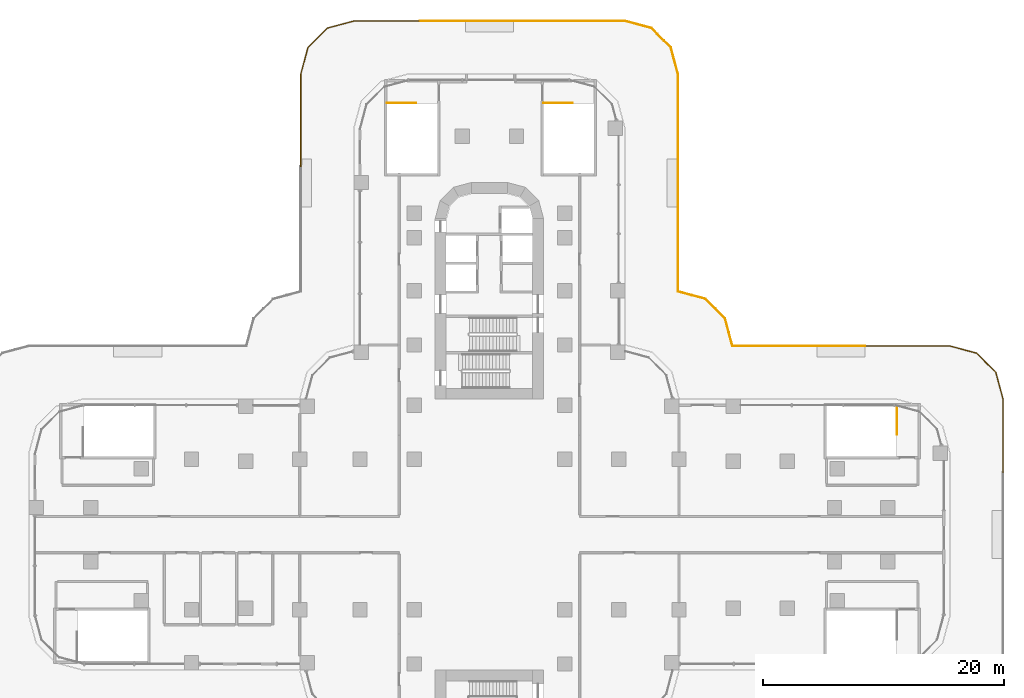
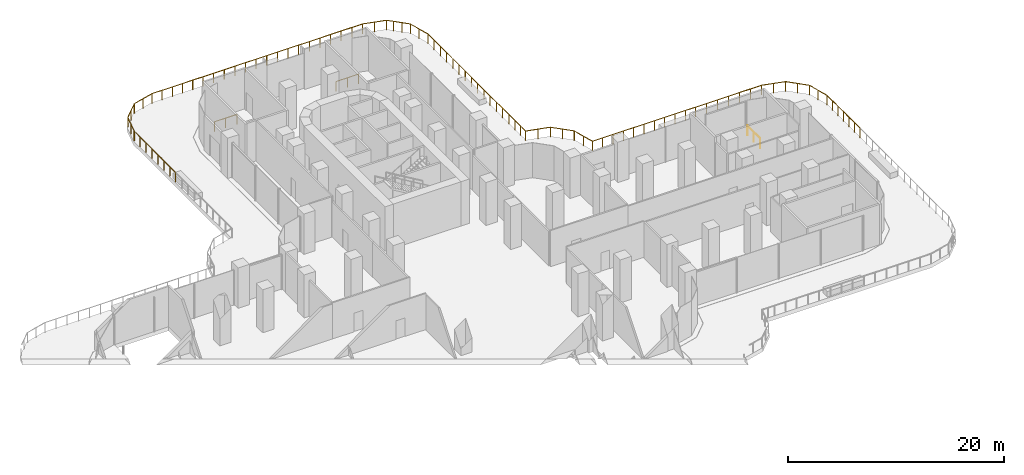
# One storey, part 20 of 21: 8 railings.
"""IFC4 building model written with IfcOpenShell, lengths in metres."""

from ifc_helpers import new_model, si_unit, direction, frame, origin, origin_2d, place, context, subcontext, project, spatial, circle, extrude, material, type_object, element, save


model = new_model("IFC4")

# Units and contexts
model_context = context("Model", 3, precision=1e-05, world=origin(), true_north=direction((0.0, 1.0)))
body_context = subcontext(model_context, "Body", "Model", "MODEL_VIEW")
ifc_project = project(units=[si_unit("LENGTHUNIT", "METRE"), si_unit("AREAUNIT", "SQUARE_METRE"), si_unit("VOLUMEUNIT", "CUBIC_METRE"), si_unit("PLANEANGLEUNIT", "RADIAN"), si_unit("MASSUNIT", "GRAM", prefix="KILO")], contexts=[model_context])

# Site, building, storey
site_placement = place(None, origin())
site = spatial("IfcSite", under=ifc_project, at=site_placement, CompositionType="ELEMENT")
building_placement = place(site_placement, origin())
building = spatial("IfcBuilding", under=site, at=building_placement, Name="Zarbagh Exchange Tower", CompositionType="ELEMENT")
storey_placement = place(building_placement, frame((0.0, 0.0, 22.0)))
storey = spatial("IfcBuildingStorey", under=building, at=storey_placement, Name="L04", CompositionType="ELEMENT", Elevation=22.0)

# Railings
ifc_material_1 = material(Name="Stainless steel", Category="steel")
railing_type_1 = type_object("IfcRailingType", Name="Stair guard 1100 mm", PredefinedType="GUARDRAIL", material=ifc_material_1)
for number, where, name in (
    (1, (-8.5, 35.85009765625, 0.0), "PS1 top well guard 1"),
    (2, (4.5, 35.85009765625, 0.0), "PS2 top well guard 1"),
):
    element("IfcRailing", number, at=place(storey_placement, frame(where)), inside=storey, type_object=railing_type_1, Name=name, PredefinedType="GUARDRAIL", context=body_context, shape_type="SweptSolid", body=[
        extrude(circle(Radius=0.02392578125, at=origin_2d()), frame((0.0, 0.0, 1.076171875), z_axis=(1.0, 0.0, 0.0), x_axis=(0.0, 1.0, 0.0)), (0.0, 0.0, 1.0), 2.39990234375),
        extrude(circle(Radius=0.02099609375, at=origin_2d()), origin(), (0.0, 0.0, 1.0), 1.052001953125),
        extrude(circle(Radius=0.02099609375, at=origin_2d()), frame((1.199951171875, 0.0, 0.0)), (0.0, 0.0, 1.0), 1.052001953125),
        extrude(circle(Radius=0.02099609375, at=origin_2d()), frame((2.39990234375, 0.0, 0.0)), (0.0, 0.0, 1.0), 1.052001953125),
    ])
railing_1_placement = place(storey_placement, frame((33.85009765625, 10.699951171875, 0.0)))
element("IfcRailing", 3, at=railing_1_placement, inside=storey, type_object=railing_type_1, Name="PS3 top well guard 1", PredefinedType="GUARDRAIL", context=body_context, shape_type="SweptSolid", body=[
    extrude(circle(Radius=0.02392578125, at=origin_2d()), frame((0.0, 0.0, 1.076171875), z_axis=(0.0, -1.0, 0.0), x_axis=(1.0, 0.0, 0.0)), (0.0, 0.0, 1.0), 2.39990234375),
    extrude(circle(Radius=0.02099609375, at=origin_2d()), origin(), (0.0, 0.0, 1.0), 1.052001953125),
    extrude(circle(Radius=0.02099609375, at=origin_2d()), frame((0.0, -1.199951171875, 0.0)), (0.0, 0.0, 1.0), 1.052001953125),
    extrude(circle(Radius=0.02099609375, at=origin_2d()), frame((0.0, -2.39990234375, 0.0)), (0.0, 0.0, 1.0), 1.052001953125),
])
ifc_material_2 = material(Name="Stainless steel and laminated glass", Category="steel")
railing_type_2 = type_object("IfcRailingType", Name="Terrace guard, glass balustrade 1.1 m", PredefinedType="GUARDRAIL", material=ifc_material_2)
railing_2_placement = place(storey_placement, frame((-15.669921875, 30.581298828125, 0.0)))
element("IfcRailing", 4, at=railing_2_placement, inside=storey, type_object=railing_type_2, Name="TG01 terrace guard", PredefinedType="GUARDRAIL", context=body_context, shape_type="SweptSolid", body=[
    extrude(circle(Radius=0.02490234375, at=origin_2d()), frame((0.0, 0.0, 1.0751953125), z_axis=(0.0, 1.0, 0.0), x_axis=(-1.0, 0.0, 0.0)), (0.0, 0.0, 1.0), 7.658203125),
    extrude(circle(Radius=0.02490234375, at=origin_2d()), frame((0.0, 7.658203125, 1.0751953125), z_axis=(0.258780353152, 0.965936192935, 0.0), x_axis=(-0.965936192935, 0.258780353152, 0.0)), (0.0, 0.0, 1.0), 2.29736328125),
    extrude(circle(Radius=0.02490234375, at=origin_2d()), frame((0.594482421875, 9.877197265625, 1.0751953125), z_axis=(0.707106781187, 0.707106781187, 0.0), x_axis=(-0.707106781187, 0.707106781187, 0.0)), (0.0, 0.0, 1.0), 2.28662109375),
    extrude(circle(Radius=0.02490234375, at=origin_2d()), frame((2.21142578125, 11.494140625, 1.0751953125), z_axis=(0.965936192935, 0.258780353152, 0.0), x_axis=(-0.258780353152, 0.965936192935, 0.0)), (0.0, 0.0, 1.0), 2.29736328125),
    extrude(circle(Radius=0.02490234375, at=origin_2d()), frame((4.430419921875, 12.088623046875, 1.0751953125), z_axis=(1.0, 0.0, 0.0), x_axis=(0.0, 1.0, 0.0)), (0.0, 0.0, 1.0), 5.460693359375),
    extrude(circle(Radius=0.02490234375, at=origin_2d()), origin(), (0.0, 0.0, 1.0), 1.050048828125),
    extrude(circle(Radius=0.02490234375, at=origin_2d()), frame((0.0, 1.093994140625, 0.0)), (0.0, 0.0, 1.0), 1.050048828125),
    extrude(circle(Radius=0.02490234375, at=origin_2d()), frame((0.0, 2.18798828125, 0.0)), (0.0, 0.0, 1.0), 1.050048828125),
    extrude(circle(Radius=0.02490234375, at=origin_2d()), frame((0.0, 3.281982421875, 0.0)), (0.0, 0.0, 1.0), 1.050048828125),
    extrude(circle(Radius=0.02490234375, at=origin_2d()), frame((0.0, 4.376220703125, 0.0)), (0.0, 0.0, 1.0), 1.050048828125),
    extrude(circle(Radius=0.02490234375, at=origin_2d()), frame((0.0, 5.47021484375, 0.0)), (0.0, 0.0, 1.0), 1.050048828125),
    extrude(circle(Radius=0.02490234375, at=origin_2d()), frame((0.0, 6.564208984375, 0.0)), (0.0, 0.0, 1.0), 1.050048828125),
    extrude(circle(Radius=0.02490234375, at=origin_2d()), frame((0.0, 7.658203125, 0.0)), (0.0, 0.0, 1.0), 1.050048828125),
    extrude(circle(Radius=0.02490234375, at=origin_2d()), frame((0.29736328125, 8.767578125, 0.0)), (0.0, 0.0, 1.0), 1.050048828125),
    extrude(circle(Radius=0.02490234375, at=origin_2d()), frame((0.594482421875, 9.877197265625, 0.0)), (0.0, 0.0, 1.0), 1.050048828125),
    extrude(circle(Radius=0.02490234375, at=origin_2d()), frame((1.40283203125, 10.685546875, 0.0)), (0.0, 0.0, 1.0), 1.050048828125),
    extrude(circle(Radius=0.02490234375, at=origin_2d()), frame((2.21142578125, 11.494140625, 0.0)), (0.0, 0.0, 1.0), 1.050048828125),
    extrude(circle(Radius=0.02490234375, at=origin_2d()), frame((3.32080078125, 11.79150390625, 0.0)), (0.0, 0.0, 1.0), 1.050048828125),
    extrude(circle(Radius=0.02490234375, at=origin_2d()), frame((4.430419921875, 12.088623046875, 0.0)), (0.0, 0.0, 1.0), 1.050048828125),
    extrude(circle(Radius=0.02490234375, at=origin_2d()), frame((5.5224609375, 12.088623046875, 0.0)), (0.0, 0.0, 1.0), 1.050048828125),
    extrude(circle(Radius=0.02490234375, at=origin_2d()), frame((6.61474609375, 12.088623046875, 0.0)), (0.0, 0.0, 1.0), 1.050048828125),
    extrude(circle(Radius=0.02490234375, at=origin_2d()), frame((7.706787109375, 12.088623046875, 0.0)), (0.0, 0.0, 1.0), 1.050048828125),
    extrude(circle(Radius=0.02490234375, at=origin_2d()), frame((8.799072265625, 12.088623046875, 0.0)), (0.0, 0.0, 1.0), 1.050048828125),
    extrude(circle(Radius=0.02490234375, at=origin_2d()), frame((9.89111328125, 12.088623046875, 0.0)), (0.0, 0.0, 1.0), 1.050048828125),
])
railing_3_placement = place(storey_placement, frame((-5.77880859375, 42.669921875, 0.0)))
element("IfcRailing", 5, at=railing_3_placement, inside=storey, type_object=railing_type_2, Name="TG01 terrace guard", PredefinedType="GUARDRAIL", context=body_context, shape_type="SweptSolid", body=[
    extrude(circle(Radius=0.02490234375, at=origin_2d()), frame((0.0, 0.0, 1.0751953125), z_axis=(1.0, 0.0, 0.0), x_axis=(0.0, 1.0, 0.0)), (0.0, 0.0, 1.0), 17.018310546875),
    extrude(circle(Radius=0.02490234375, at=origin_2d()), frame((17.018310546875, 0.0, 1.0751953125), z_axis=(0.965936192935, -0.258780353152, 0.0), x_axis=(0.258780353152, 0.965936192935, 0.0)), (0.0, 0.0, 1.0), 2.29736328125),
    extrude(circle(Radius=0.02490234375, at=origin_2d()), frame((19.2373046875, -0.594482421875, 1.0751953125), z_axis=(0.707106781187, -0.707106781187, 0.0), x_axis=(0.707106781187, 0.707106781187, 0.0)), (0.0, 0.0, 1.0), 0.684326171875),
    extrude(circle(Radius=0.02490234375, at=origin_2d()), origin(), (0.0, 0.0, 1.0), 1.050048828125),
    extrude(circle(Radius=0.02490234375, at=origin_2d()), frame((1.134521484375, 0.0, 0.0)), (0.0, 0.0, 1.0), 1.050048828125),
    extrude(circle(Radius=0.02490234375, at=origin_2d()), frame((2.26904296875, 0.0, 0.0)), (0.0, 0.0, 1.0), 1.050048828125),
    extrude(circle(Radius=0.02490234375, at=origin_2d()), frame((3.403564453125, 0.0, 0.0)), (0.0, 0.0, 1.0), 1.050048828125),
    extrude(circle(Radius=0.02490234375, at=origin_2d()), frame((4.538330078125, 0.0, 0.0)), (0.0, 0.0, 1.0), 1.050048828125),
    extrude(circle(Radius=0.02490234375, at=origin_2d()), frame((5.6728515625, 0.0, 0.0)), (0.0, 0.0, 1.0), 1.050048828125),
    extrude(circle(Radius=0.02490234375, at=origin_2d()), frame((6.807373046875, 0.0, 0.0)), (0.0, 0.0, 1.0), 1.050048828125),
    extrude(circle(Radius=0.02490234375, at=origin_2d()), frame((7.94189453125, 0.0, 0.0)), (0.0, 0.0, 1.0), 1.050048828125),
    extrude(circle(Radius=0.02490234375, at=origin_2d()), frame((9.076416015625, 0.0, 0.0)), (0.0, 0.0, 1.0), 1.050048828125),
    extrude(circle(Radius=0.02490234375, at=origin_2d()), frame((10.2109375, 0.0, 0.0)), (0.0, 0.0, 1.0), 1.050048828125),
    extrude(circle(Radius=0.02490234375, at=origin_2d()), frame((11.345458984375, 0.0, 0.0)), (0.0, 0.0, 1.0), 1.050048828125),
    extrude(circle(Radius=0.02490234375, at=origin_2d()), frame((12.47998046875, 0.0, 0.0)), (0.0, 0.0, 1.0), 1.050048828125),
    extrude(circle(Radius=0.02490234375, at=origin_2d()), frame((13.61474609375, 0.0, 0.0)), (0.0, 0.0, 1.0), 1.050048828125),
    extrude(circle(Radius=0.02490234375, at=origin_2d()), frame((14.749267578125, 0.0, 0.0)), (0.0, 0.0, 1.0), 1.050048828125),
    extrude(circle(Radius=0.02490234375, at=origin_2d()), frame((15.8837890625, 0.0, 0.0)), (0.0, 0.0, 1.0), 1.050048828125),
    extrude(circle(Radius=0.02490234375, at=origin_2d()), frame((17.018310546875, 0.0, 0.0)), (0.0, 0.0, 1.0), 1.050048828125),
    extrude(circle(Radius=0.02490234375, at=origin_2d()), frame((18.1279296875, -0.29736328125, 0.0)), (0.0, 0.0, 1.0), 1.050048828125),
    extrude(circle(Radius=0.02490234375, at=origin_2d()), frame((19.2373046875, -0.594482421875, 0.0)), (0.0, 0.0, 1.0), 1.050048828125),
    extrude(circle(Radius=0.02490234375, at=origin_2d()), frame((19.72119140625, -1.078369140625, 0.0)), (0.0, 0.0, 1.0), 1.050048828125),
])
railing_4_placement = place(storey_placement, frame((13.9423828125, 41.591552734375, 0.0)))
element("IfcRailing", 6, at=railing_4_placement, inside=storey, type_object=railing_type_2, Name="TG01 terrace guard", PredefinedType="GUARDRAIL", context=body_context, shape_type="SweptSolid", body=[
    extrude(circle(Radius=0.02490234375, at=origin_2d()), frame((0.0, 0.0, 1.0751953125), z_axis=(0.707106781187, -0.707106781187, 0.0), x_axis=(0.707106781187, 0.707106781187, 0.0)), (0.0, 0.0, 1.0), 1.602294921875),
    extrude(circle(Radius=0.02490234375, at=origin_2d()), frame((1.133056640625, -1.133056640625, 1.0751953125), z_axis=(0.258780353152, -0.965936192935, 0.0), x_axis=(0.965936192935, 0.258780353152, 0.0)), (0.0, 0.0, 1.0), 2.29736328125),
    extrude(circle(Radius=0.02490234375, at=origin_2d()), frame((1.7275390625, -3.35205078125, 1.0751953125), z_axis=(0.0, -1.0, 0.0), x_axis=(1.0, 0.0, 0.0)), (0.0, 0.0, 1.0), 16.100341796875),
    extrude(circle(Radius=0.02490234375, at=origin_2d()), origin(), (0.0, 0.0, 1.0), 1.050048828125),
    extrude(circle(Radius=0.02490234375, at=origin_2d()), frame((0.56640625, -0.56640625, 0.0)), (0.0, 0.0, 1.0), 1.050048828125),
    extrude(circle(Radius=0.02490234375, at=origin_2d()), frame((1.133056640625, -1.133056640625, 0.0)), (0.0, 0.0, 1.0), 1.050048828125),
    extrude(circle(Radius=0.02490234375, at=origin_2d()), frame((1.43017578125, -2.24267578125, 0.0)), (0.0, 0.0, 1.0), 1.050048828125),
    extrude(circle(Radius=0.02490234375, at=origin_2d()), frame((1.7275390625, -3.35205078125, 0.0)), (0.0, 0.0, 1.0), 1.050048828125),
    extrude(circle(Radius=0.02490234375, at=origin_2d()), frame((1.7275390625, -4.501953125, 0.0)), (0.0, 0.0, 1.0), 1.050048828125),
    extrude(circle(Radius=0.02490234375, at=origin_2d()), frame((1.7275390625, -5.652099609375, 0.0)), (0.0, 0.0, 1.0), 1.050048828125),
    extrude(circle(Radius=0.02490234375, at=origin_2d()), frame((1.7275390625, -6.80224609375, 0.0)), (0.0, 0.0, 1.0), 1.050048828125),
    extrude(circle(Radius=0.02490234375, at=origin_2d()), frame((1.7275390625, -7.9521484375, 0.0)), (0.0, 0.0, 1.0), 1.050048828125),
    extrude(circle(Radius=0.02490234375, at=origin_2d()), frame((1.7275390625, -9.10205078125, 0.0)), (0.0, 0.0, 1.0), 1.050048828125),
    extrude(circle(Radius=0.02490234375, at=origin_2d()), frame((1.7275390625, -10.252197265625, 0.0)), (0.0, 0.0, 1.0), 1.050048828125),
    extrude(circle(Radius=0.02490234375, at=origin_2d()), frame((1.7275390625, -11.40234375, 0.0)), (0.0, 0.0, 1.0), 1.050048828125),
    extrude(circle(Radius=0.02490234375, at=origin_2d()), frame((1.7275390625, -12.55224609375, 0.0)), (0.0, 0.0, 1.0), 1.050048828125),
    extrude(circle(Radius=0.02490234375, at=origin_2d()), frame((1.7275390625, -13.7021484375, 0.0)), (0.0, 0.0, 1.0), 1.050048828125),
    extrude(circle(Radius=0.02490234375, at=origin_2d()), frame((1.7275390625, -14.852294921875, 0.0)), (0.0, 0.0, 1.0), 1.050048828125),
    extrude(circle(Radius=0.02490234375, at=origin_2d()), frame((1.7275390625, -16.00244140625, 0.0)), (0.0, 0.0, 1.0), 1.050048828125),
    extrude(circle(Radius=0.02490234375, at=origin_2d()), frame((1.7275390625, -17.15234375, 0.0)), (0.0, 0.0, 1.0), 1.050048828125),
    extrude(circle(Radius=0.02490234375, at=origin_2d()), frame((1.7275390625, -18.30224609375, 0.0)), (0.0, 0.0, 1.0), 1.050048828125),
    extrude(circle(Radius=0.02490234375, at=origin_2d()), frame((1.7275390625, -19.452392578125, 0.0)), (0.0, 0.0, 1.0), 1.050048828125),
])
railing_5_placement = place(storey_placement, frame((15.669921875, 22.13916015625, 0.0)))
element("IfcRailing", 7, at=railing_5_placement, inside=storey, type_object=railing_type_2, Name="TG01 terrace guard", PredefinedType="GUARDRAIL", context=body_context, shape_type="SweptSolid", body=[
    extrude(circle(Radius=0.02490234375, at=origin_2d()), frame((0.0, 0.0, 1.0751953125), z_axis=(0.0, -1.0, 0.0), x_axis=(1.0, 0.0, 0.0)), (0.0, 0.0, 1.0), 1.950439453125),
    extrude(circle(Radius=0.02490234375, at=origin_2d()), frame((0.0, -1.950439453125, 1.0751953125), z_axis=(0.965919533457, -0.258842529128, 0.0), x_axis=(0.258842529128, 0.965919533457, 0.0)), (0.0, 0.0, 1.0), 2.369384765625),
    extrude(circle(Radius=0.02490234375, at=origin_2d()), frame((2.28857421875, -2.563720703125, 1.0751953125), z_axis=(0.707106781187, -0.707106781187, 0.0), x_axis=(0.707106781187, 0.707106781187, 0.0)), (0.0, 0.0, 1.0), 2.28662109375),
    extrude(circle(Radius=0.02490234375, at=origin_2d()), frame((3.905517578125, -4.1806640625, 1.0751953125), z_axis=(0.258842529128, -0.965919533457, 0.0), x_axis=(0.965919533457, 0.258842529128, 0.0)), (0.0, 0.0, 1.0), 2.369384765625),
    extrude(circle(Radius=0.02490234375, at=origin_2d()), frame((4.518798828125, -6.46923828125, 1.0751953125), z_axis=(1.0, 0.0, 0.0), x_axis=(0.0, 1.0, 0.0)), (0.0, 0.0, 1.0), 11.024169921875),
    extrude(circle(Radius=0.02490234375, at=origin_2d()), origin(), (0.0, 0.0, 1.0), 1.050048828125),
    extrude(circle(Radius=0.02490234375, at=origin_2d()), frame((0.0, -0.97509765625, 0.0)), (0.0, 0.0, 1.0), 1.050048828125),
    extrude(circle(Radius=0.02490234375, at=origin_2d()), frame((0.0, -1.950439453125, 0.0)), (0.0, 0.0, 1.0), 1.050048828125),
    extrude(circle(Radius=0.02490234375, at=origin_2d()), frame((1.144287109375, -2.257080078125, 0.0)), (0.0, 0.0, 1.0), 1.050048828125),
    extrude(circle(Radius=0.02490234375, at=origin_2d()), frame((2.28857421875, -2.563720703125, 0.0)), (0.0, 0.0, 1.0), 1.050048828125),
    extrude(circle(Radius=0.02490234375, at=origin_2d()), frame((3.09716796875, -3.3720703125, 0.0)), (0.0, 0.0, 1.0), 1.050048828125),
    extrude(circle(Radius=0.02490234375, at=origin_2d()), frame((3.905517578125, -4.1806640625, 0.0)), (0.0, 0.0, 1.0), 1.050048828125),
    extrude(circle(Radius=0.02490234375, at=origin_2d()), frame((4.212158203125, -5.324951171875, 0.0)), (0.0, 0.0, 1.0), 1.050048828125),
    extrude(circle(Radius=0.02490234375, at=origin_2d()), frame((4.518798828125, -6.46923828125, 0.0)), (0.0, 0.0, 1.0), 1.050048828125),
    extrude(circle(Radius=0.02490234375, at=origin_2d()), frame((5.62109375, -6.46923828125, 0.0)), (0.0, 0.0, 1.0), 1.050048828125),
    extrude(circle(Radius=0.02490234375, at=origin_2d()), frame((6.7236328125, -6.46923828125, 0.0)), (0.0, 0.0, 1.0), 1.050048828125),
    extrude(circle(Radius=0.02490234375, at=origin_2d()), frame((7.826171875, -6.46923828125, 0.0)), (0.0, 0.0, 1.0), 1.050048828125),
    extrude(circle(Radius=0.02490234375, at=origin_2d()), frame((8.928466796875, -6.46923828125, 0.0)), (0.0, 0.0, 1.0), 1.050048828125),
    extrude(circle(Radius=0.02490234375, at=origin_2d()), frame((10.03076171875, -6.46923828125, 0.0)), (0.0, 0.0, 1.0), 1.050048828125),
    extrude(circle(Radius=0.02490234375, at=origin_2d()), frame((11.13330078125, -6.46923828125, 0.0)), (0.0, 0.0, 1.0), 1.050048828125),
    extrude(circle(Radius=0.02490234375, at=origin_2d()), frame((12.23583984375, -6.46923828125, 0.0)), (0.0, 0.0, 1.0), 1.050048828125),
    extrude(circle(Radius=0.02490234375, at=origin_2d()), frame((13.338134765625, -6.46923828125, 0.0)), (0.0, 0.0, 1.0), 1.050048828125),
    extrude(circle(Radius=0.02490234375, at=origin_2d()), frame((14.4404296875, -6.46923828125, 0.0)), (0.0, 0.0, 1.0), 1.050048828125),
    extrude(circle(Radius=0.02490234375, at=origin_2d()), frame((15.54296875, -6.46923828125, 0.0)), (0.0, 0.0, 1.0), 1.050048828125),
])
railing_6_placement = place(storey_placement, frame((31.212890625, 15.669921875, 0.0)))
element("IfcRailing", 8, at=railing_6_placement, inside=storey, type_object=railing_type_2, Name="TG01 terrace guard", PredefinedType="GUARDRAIL", context=body_context, shape_type="SweptSolid", body=[
    extrude(circle(Radius=0.02490234375, at=origin_2d()), frame((0.0, 0.0, 1.0751953125), z_axis=(1.0, 0.0, 0.0), x_axis=(0.0, 1.0, 0.0)), (0.0, 0.0, 1.0), 7.026611328125),
    extrude(circle(Radius=0.02490234375, at=origin_2d()), frame((7.026611328125, 0.0, 1.0751953125), z_axis=(0.965936192935, -0.258780353152, 0.0), x_axis=(0.258780353152, 0.965936192935, 0.0)), (0.0, 0.0, 1.0), 2.29736328125),
    extrude(circle(Radius=0.02490234375, at=origin_2d()), frame((9.24560546875, -0.594482421875, 1.0751953125), z_axis=(0.707106781187, -0.707106781187, 0.0), x_axis=(0.707106781187, 0.707106781187, 0.0)), (0.0, 0.0, 1.0), 2.28662109375),
    extrude(circle(Radius=0.02490234375, at=origin_2d()), frame((10.862548828125, -2.21142578125, 1.0751953125), z_axis=(0.258780353152, -0.965936192935, 0.0), x_axis=(0.965936192935, 0.258780353152, 0.0)), (0.0, 0.0, 1.0), 2.29736328125),
    extrude(circle(Radius=0.02490234375, at=origin_2d()), frame((11.45703125, -4.430419921875, 1.0751953125), z_axis=(0.0, -1.0, 0.0), x_axis=(1.0, 0.0, 0.0)), (0.0, 0.0, 1.0), 6.09228515625),
    extrude(circle(Radius=0.02490234375, at=origin_2d()), origin(), (0.0, 0.0, 1.0), 1.050048828125),
    extrude(circle(Radius=0.02490234375, at=origin_2d()), frame((1.171142578125, 0.0, 0.0)), (0.0, 0.0, 1.0), 1.050048828125),
    extrude(circle(Radius=0.02490234375, at=origin_2d()), frame((2.34228515625, 0.0, 0.0)), (0.0, 0.0, 1.0), 1.050048828125),
    extrude(circle(Radius=0.02490234375, at=origin_2d()), frame((3.51318359375, 0.0, 0.0)), (0.0, 0.0, 1.0), 1.050048828125),
    extrude(circle(Radius=0.02490234375, at=origin_2d()), frame((4.684326171875, 0.0, 0.0)), (0.0, 0.0, 1.0), 1.050048828125),
    extrude(circle(Radius=0.02490234375, at=origin_2d()), frame((5.85546875, 0.0, 0.0)), (0.0, 0.0, 1.0), 1.050048828125),
    extrude(circle(Radius=0.02490234375, at=origin_2d()), frame((7.026611328125, 0.0, 0.0)), (0.0, 0.0, 1.0), 1.050048828125),
    extrude(circle(Radius=0.02490234375, at=origin_2d()), frame((8.13623046875, -0.29736328125, 0.0)), (0.0, 0.0, 1.0), 1.050048828125),
    extrude(circle(Radius=0.02490234375, at=origin_2d()), frame((9.24560546875, -0.594482421875, 0.0)), (0.0, 0.0, 1.0), 1.050048828125),
    extrude(circle(Radius=0.02490234375, at=origin_2d()), frame((10.05419921875, -1.40283203125, 0.0)), (0.0, 0.0, 1.0), 1.050048828125),
    extrude(circle(Radius=0.02490234375, at=origin_2d()), frame((10.862548828125, -2.21142578125, 0.0)), (0.0, 0.0, 1.0), 1.050048828125),
    extrude(circle(Radius=0.02490234375, at=origin_2d()), frame((11.15966796875, -3.32080078125, 0.0)), (0.0, 0.0, 1.0), 1.050048828125),
    extrude(circle(Radius=0.02490234375, at=origin_2d()), frame((11.45703125, -4.430419921875, 0.0)), (0.0, 0.0, 1.0), 1.050048828125),
    extrude(circle(Radius=0.02490234375, at=origin_2d()), frame((11.45703125, -5.44580078125, 0.0)), (0.0, 0.0, 1.0), 1.050048828125),
    extrude(circle(Radius=0.02490234375, at=origin_2d()), frame((11.45703125, -6.461181640625, 0.0)), (0.0, 0.0, 1.0), 1.050048828125),
    extrude(circle(Radius=0.02490234375, at=origin_2d()), frame((11.45703125, -7.4765625, 0.0)), (0.0, 0.0, 1.0), 1.050048828125),
    extrude(circle(Radius=0.02490234375, at=origin_2d()), frame((11.45703125, -8.491943359375, 0.0)), (0.0, 0.0, 1.0), 1.050048828125),
    extrude(circle(Radius=0.02490234375, at=origin_2d()), frame((11.45703125, -9.50732421875, 0.0)), (0.0, 0.0, 1.0), 1.050048828125),
    extrude(circle(Radius=0.02490234375, at=origin_2d()), frame((11.45703125, -10.522705078125, 0.0)), (0.0, 0.0, 1.0), 1.050048828125),
])

save(model, "model.ifc")
